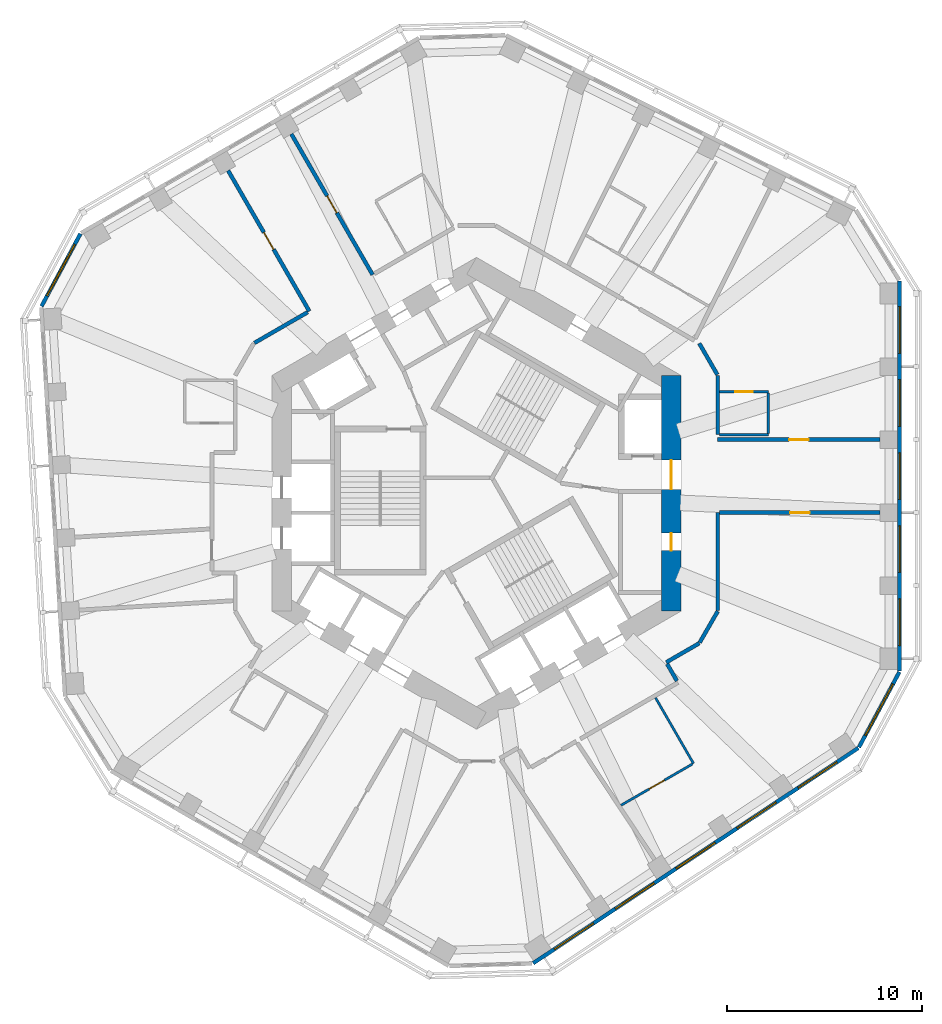
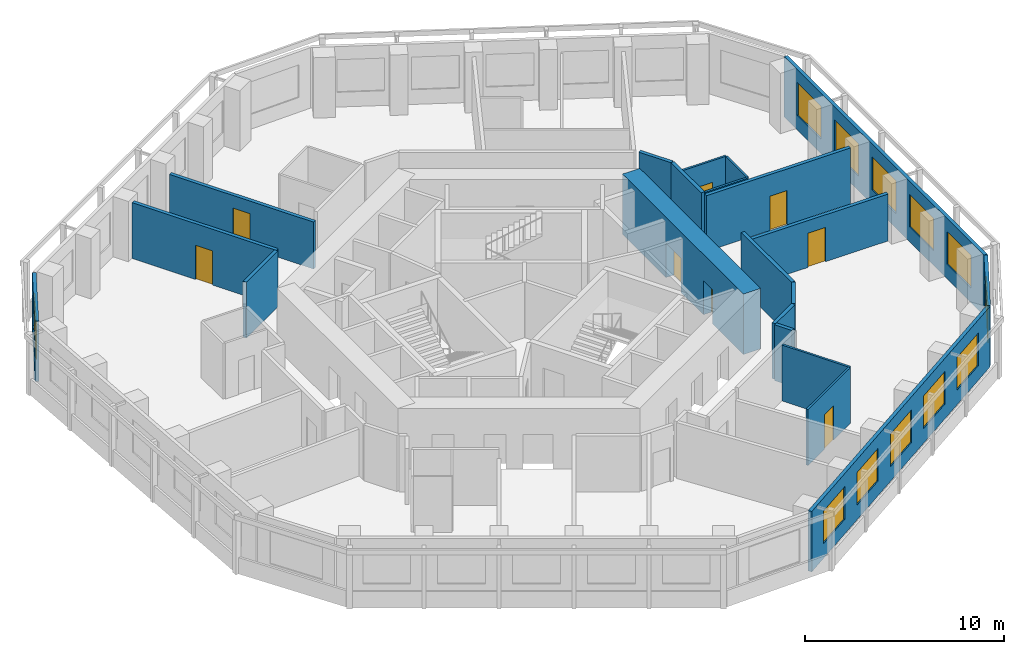
# One storey, part 6 of 11: 21 walls, 12 windows, 8 doors, 20 openings.
"""IFC4 building model written with IfcOpenShell, lengths in metres."""

from ifc_helpers import new_model, si_unit, direction, frame, frame_2d, origin, place, context, subcontext, project, spatial, rectangle, extrude, material, layer, layer_set, type_object, element, fill, save


model = new_model("IFC4")

# Units and contexts
model_context = context("Model", 3, precision=1e-05, world=origin(), true_north=direction((0.0, 1.0)))
body_context = subcontext(model_context, "Body", "Model", "MODEL_VIEW")
ifc_project = project(units=[si_unit("LENGTHUNIT", "METRE"), si_unit("AREAUNIT", "SQUARE_METRE"), si_unit("VOLUMEUNIT", "CUBIC_METRE"), si_unit("PLANEANGLEUNIT", "RADIAN"), si_unit("MASSUNIT", "GRAM", prefix="KILO")], contexts=[model_context])

# Site, building, storey
site_placement = place(None, origin())
site = spatial("IfcSite", under=ifc_project, at=site_placement, CompositionType="ELEMENT")
building_placement = place(site_placement, origin())
building = spatial("IfcBuilding", under=site, at=building_placement, Name="Vanh Sen Convention Tower", CompositionType="ELEMENT")
storey_placement = place(building_placement, frame((0.0, 0.0, 183.60009765625)))
storey = spatial("IfcBuildingStorey", under=building, at=storey_placement, Name="L45", CompositionType="ELEMENT", Elevation=183.60009765625)

# Wall
ifc_material_1 = material(Name="Moisture-resistant gypsum board on steel studs", Category="steel")
ifc_layer_1 = layer(ifc_material_1, 0.1201171875)
ifc_layer_set_1 = layer_set([ifc_layer_1], Name="Moisture-resistant gypsum board on steel studs")
wall_type_1 = type_object("IfcWallType", Name="Bathroom partition 120", PredefinedType="PARTITIONING", material=ifc_layer_set_1)
wall_1_placement = place(storey_placement, frame((9.201904296875, -10.5078125, 0.0), z_axis=(0.0, 0.0, 1.0), x_axis=(0.500043961785, -0.866000020948, 0.0)))
element("IfcWall", 1, at=wall_1_placement, inside=storey, type_object=wall_type_1, Name="Bathroom partition 120", PredefinedType="PARTITIONING", context=body_context, shape_type="SweptSolid", body=[
    extrude(rectangle(XDim=3.900146484375, YDim=0.1201171875, at=frame_2d((1.9501953125, 0.0))), origin(), (0.0, 0.0, 1.0), 3.419921875),
])

# Wall, opening, door
wall_2_placement = place(storey_placement, frame((11.10009765625, -13.915283203125, 0.0), z_axis=(0.0, 0.0, 1.0), x_axis=(-0.866048475386, -0.499960036685, 0.0)))
wall_2 = element("IfcWall", 2, at=wall_2_placement, inside=storey, type_object=wall_type_1, Name="Bathroom partition 120", PredefinedType="PARTITIONING", context=body_context, shape_type="SweptSolid", body=[
    extrude(rectangle(XDim=4.239990234375, YDim=0.1201171875, at=frame_2d((2.1201171875, 0.0))), origin(), (0.0, 0.0, 1.0), 3.419921875),
])
opening_1_placement = place(wall_2_placement, frame((1.669921875, 0.0, 0.0)))
opening_1 = element("IfcOpeningElement", 3, at=opening_1_placement, cuts=wall_2, Name="Opening D44118", PredefinedType="OPENING", context=body_context, shape_type="SweptSolid", body=[
    extrude(rectangle(XDim=0.89990234375, YDim=2.10009765625, at=frame_2d((0.449951171875, 1.050048828125))), frame((0.0, 0.070068359375, 0.0), z_axis=(0.0, -1.0, 0.0), x_axis=(1.0, 0.0, 0.0)), (0.0, 0.0, 1.0), 0.14013671875),
])
ifc_material_2 = material(Name="Laminate door in steel frame", Category="steel")
door_type_1 = type_object("IfcDoorType", Name="Room internal door 900", OperationType="SINGLE_SWING_LEFT", PredefinedType="DOOR", material=ifc_material_2)
door_1_placement = place(opening_1_placement, origin())
door_1 = element("IfcDoor", 4, at=door_1_placement, inside=storey, type_object=door_type_1, Name="Internal room door D44118", OperationType="SINGLE_SWING_LEFT", OverallHeight=2.10009765625, OverallWidth=0.89990234375, PredefinedType="DOOR", context=body_context, shape_type="SweptSolid", body=[
    extrude(rectangle(XDim=0.89990234375, YDim=2.10009765625, at=frame_2d((0.449951171875, 1.050048828125))), frame((0.0, 0.02490234375, 0.0), z_axis=(0.0, -1.0, 0.0), x_axis=(1.0, 0.0, 0.0)), (0.0, 0.0, 1.0), 0.050048828125),
])
fill(opening_1, door_1)

wall_3_placement = place(storey_placement, frame((12.5, 5.211181640625, 0.0), z_axis=(0.0, 0.0, 1.0), x_axis=(1.0, 0.0, 0.0)))
wall_3 = element("IfcWall", 5, at=wall_3_placement, inside=storey, type_object=wall_type_1, Name="Bathroom partition 120", PredefinedType="PARTITIONING", context=body_context, shape_type="SweptSolid", body=[
    extrude(rectangle(XDim=2.5, YDim=0.1201171875, at=frame_2d((1.25, 0.0))), origin(), (0.0, 0.0, 1.0), 3.419921875),
])
opening_2_placement = place(wall_3_placement, frame((0.800048828125, 0.0, 0.0)))
opening_2 = element("IfcOpeningElement", 6, at=opening_2_placement, cuts=wall_3, Name="Opening D44102", PredefinedType="OPENING", context=body_context, shape_type="SweptSolid", body=[
    extrude(rectangle(XDim=0.89990234375, YDim=2.10009765625, at=frame_2d((0.449951171875, 1.050048828125))), frame((0.0, 0.070068359375, 0.0), z_axis=(0.0, -1.0, 0.0), x_axis=(1.0, 0.0, 0.0)), (0.0, 0.0, 1.0), 0.14013671875),
])
door_2_placement = place(opening_2_placement, origin())
door_2 = element("IfcDoor", 7, at=door_2_placement, inside=storey, type_object=door_type_1, Name="Internal room door D44102", OperationType="SINGLE_SWING_LEFT", OverallHeight=2.10009765625, OverallWidth=0.89990234375, PredefinedType="DOOR", context=body_context, shape_type="SweptSolid", body=[
    extrude(rectangle(XDim=0.89990234375, YDim=2.10009765625, at=frame_2d((0.449951171875, 1.050048828125))), frame((0.0, 0.02490234375, 0.0), z_axis=(0.0, -1.0, 0.0), x_axis=(1.0, 0.0, 0.0)), (0.0, 0.0, 1.0), 0.050048828125),
])
fill(opening_2, door_2)

# Walls
wall_4_placement = place(storey_placement, frame((15.0, 3.01123046875, 0.0), z_axis=(0.0, 0.0, 1.0), x_axis=(-1.0, 0.0, 0.0)))
element("IfcWall", 8, at=wall_4_placement, inside=storey, type_object=wall_type_1, Name="Bathroom partition 120", PredefinedType="PARTITIONING", context=body_context, shape_type="SweptSolid", body=[
    extrude(rectangle(XDim=2.5, YDim=0.1201171875, at=frame_2d((1.25, 0.0))), origin(), (0.0, 0.0, 1.0), 3.419921875),
])
wall_5_placement = place(storey_placement, frame((15.0, 5.1513671875, 0.0), z_axis=(0.0, 0.0, 1.0), x_axis=(0.0, -1.0, 0.0)))
element("IfcWall", 9, at=wall_5_placement, inside=storey, type_object=wall_type_1, Name="Bathroom partition 120", PredefinedType="PARTITIONING", context=body_context, shape_type="SweptSolid", body=[
    extrude(rectangle(XDim=2.080078125, YDim=0.1201171875, at=frame_2d((1.0400390625, 0.0))), origin(), (0.0, 0.0, 1.0), 3.419921875),
])

# Wall, openings, doors
ifc_material_3 = material(Name="Concrete C80/95", Category="concrete")
ifc_layer_2 = layer(ifc_material_3, 1.0)
ifc_layer_set_2 = layer_set([ifc_layer_2], Name="Concrete C80/95")
wall_type_2 = type_object("IfcWallType", Name="Core outer wall 1000 C80/95", PredefinedType="SHEAR", material=ifc_layer_set_2)
wall_6_placement = place(storey_placement, frame((10.0, -6.062255859375, 0.0), z_axis=(0.0, 0.0, 1.0), x_axis=(0.0, 1.0, 0.0)))
wall_6 = element("IfcWall", 10, at=wall_6_placement, inside=storey, type_object=wall_type_2, Name="Core wall face E L45", PredefinedType="SHEAR", context=body_context, shape_type="SweptSolid", body=[
    extrude(rectangle(XDim=12.12451171875, YDim=1.0, at=frame_2d((6.062255859375, 0.0))), origin(), (0.0, 0.0, 1.0), 3.699951171875),
])
opening_3_placement = place(wall_6_placement, frame((6.26220703125, 0.0, 0.0)))
opening_3 = element("IfcOpeningElement", 11, at=opening_3_placement, cuts=wall_6, Name="Opening D44001", PredefinedType="OPENING", context=body_context, shape_type="SweptSolid", body=[
    extrude(rectangle(XDim=1.5, YDim=2.10009765625, at=frame_2d((0.75, 1.050048828125))), frame((0.0, 0.510009765625, 0.0), z_axis=(0.0, -1.0, 0.0), x_axis=(1.0, 0.0, 0.0)), (0.0, 0.0, 1.0), 1.02001953125),
])
opening_4_placement = place(wall_6_placement, frame((3.1123046875, 0.0, 0.0)))
opening_4 = element("IfcOpeningElement", 12, at=opening_4_placement, cuts=wall_6, Name="Opening D44010", PredefinedType="OPENING", context=body_context, shape_type="SweptSolid", body=[
    extrude(rectangle(XDim=0.89990234375, YDim=2.10009765625, at=frame_2d((0.449951171875, 1.050048828125))), frame((0.0, 0.510009765625, 0.0), z_axis=(0.0, -1.0, 0.0), x_axis=(1.0, 0.0, 0.0)), (0.0, 0.0, 1.0), 1.02001953125),
])
ifc_material_4 = material(Name="Steel S355", Category="steel")
door_type_2 = type_object("IfcDoorType", Name="Plant door 900", OperationType="SINGLE_SWING_LEFT", PredefinedType="DOOR", material=ifc_material_4)
door_3_placement = place(opening_4_placement, origin())
door_3 = element("IfcDoor", 13, at=door_3_placement, inside=storey, type_object=door_type_2, Name="Plant door D44010", OperationType="SINGLE_SWING_LEFT", OverallHeight=2.10009765625, OverallWidth=0.89990234375, PredefinedType="DOOR", context=body_context, shape_type="SweptSolid", body=[
    extrude(rectangle(XDim=0.89990234375, YDim=2.10009765625, at=frame_2d((0.449951171875, 1.050048828125))), frame((0.0, 0.02490234375, 0.0), z_axis=(0.0, -1.0, 0.0), x_axis=(1.0, 0.0, 0.0)), (0.0, 0.0, 1.0), 0.050048828125),
])
fill(opening_4, door_3)
door_type_3 = type_object("IfcDoorType", Name="Stair lobby door 1500", OperationType="DOUBLE_DOOR_SINGLE_SWING", PredefinedType="DOOR", material=ifc_material_4)
door_4_placement = place(opening_3_placement, origin())
door_4 = element("IfcDoor", 14, at=door_4_placement, inside=storey, type_object=door_type_3, Name="Stair lobby door D44001", OperationType="DOUBLE_DOOR_SINGLE_SWING", OverallHeight=2.10009765625, OverallWidth=1.5, PredefinedType="DOOR", context=body_context, shape_type="SweptSolid", body=[
    extrude(rectangle(XDim=1.5, YDim=2.10009765625, at=frame_2d((0.75, 1.050048828125))), frame((0.0, 0.02490234375, 0.0), z_axis=(0.0, -1.0, 0.0), x_axis=(1.0, 0.0, 0.0)), (0.0, 0.0, 1.0), 0.050048828125),
])
fill(opening_3, door_4)

# Wall, opening, door
ifc_material_5 = material(Name="Gypsum board on steel studs with mineral wool", Category="steel")
ifc_layer_3 = layer(ifc_material_5, 0.199951171875)
ifc_layer_set_3 = layer_set([ifc_layer_3], Name="Gypsum board on steel studs with mineral wool")
wall_type_3 = type_object("IfcWallType", Name="Corridor partition wall 200", PredefinedType="PARTITIONING", material=ifc_layer_set_3)
wall_7_placement = place(storey_placement, frame((-12.766357421875, 16.58935546875, 0.0), z_axis=(0.0, 0.0, 1.0), x_axis=(0.500010139422, -0.866019549707, 0.0)))
wall_7 = element("IfcWall", 15, at=wall_7_placement, inside=storey, type_object=wall_type_3, Name="Corridor partition wall 200", PredefinedType="PARTITIONING", context=body_context, shape_type="SweptSolid", body=[
    extrude(rectangle(XDim=8.349853515625, YDim=0.199951171875, at=frame_2d((4.1748046875, 0.0))), origin(), (0.0, 0.0, 1.0), 3.419921875),
])
opening_5_placement = place(wall_7_placement, frame((3.675048828125, 0.0, 0.0)))
opening_5 = element("IfcOpeningElement", 16, at=opening_5_placement, cuts=wall_7, Name="Opening D44109", PredefinedType="OPENING", context=body_context, shape_type="SweptSolid", body=[
    extrude(rectangle(XDim=1.0, YDim=2.10009765625, at=frame_2d((0.5, 1.050048828125))), frame((0.0, 0.10986328125, 0.0), z_axis=(0.0, -1.0, 0.0), x_axis=(1.0, 0.0, 0.0)), (0.0, 0.0, 1.0), 0.219970703125),
])
ifc_material_6 = material(Name="Glazed fire door in steel frame", Category="steel")
door_type_4 = type_object("IfcDoorType", Name="Tenant entrance door 1000", OperationType="SINGLE_SWING_LEFT", PredefinedType="DOOR", material=ifc_material_6)
door_5_placement = place(opening_5_placement, origin())
door_5 = element("IfcDoor", 17, at=door_5_placement, inside=storey, type_object=door_type_4, Name="Tenant suite entrance door D44109", OperationType="SINGLE_SWING_LEFT", OverallHeight=2.10009765625, OverallWidth=1.0, PredefinedType="DOOR", context=body_context, shape_type="SweptSolid", body=[
    extrude(rectangle(XDim=1.0, YDim=2.10009765625, at=frame_2d((0.5, 1.050048828125))), frame((0.0, 0.02490234375, 0.0), z_axis=(0.0, -1.0, 0.0), x_axis=(1.0, 0.0, 0.0)), (0.0, 0.0, 1.0), 0.050048828125),
])
fill(opening_5, door_5)

wall_8_placement = place(storey_placement, frame((-9.51513671875, 18.46630859375, 0.0), z_axis=(0.0, 0.0, 1.0), x_axis=(0.500010139422, -0.866019549707, 0.0)))
wall_8 = element("IfcWall", 18, at=wall_8_placement, inside=storey, type_object=wall_type_3, Name="Corridor partition wall 200", PredefinedType="PARTITIONING", context=body_context, shape_type="SweptSolid", body=[
    extrude(rectangle(XDim=8.349853515625, YDim=0.199951171875, at=frame_2d((4.1748046875, 0.0))), origin(), (0.0, 0.0, 1.0), 2.869873046875),
])
opening_6_placement = place(wall_8_placement, frame((3.675048828125, 0.0, 0.0)))
opening_6 = element("IfcOpeningElement", 19, at=opening_6_placement, cuts=wall_8, Name="Opening D44107", PredefinedType="OPENING", context=body_context, shape_type="SweptSolid", body=[
    extrude(rectangle(XDim=1.0, YDim=2.10009765625, at=frame_2d((0.5, 1.050048828125))), frame((0.0, 0.10986328125, 0.0), z_axis=(0.0, -1.0, 0.0), x_axis=(1.0, 0.0, 0.0)), (0.0, 0.0, 1.0), 0.219970703125),
])
door_6_placement = place(opening_6_placement, origin())
door_6 = element("IfcDoor", 20, at=door_6_placement, inside=storey, type_object=door_type_4, Name="Tenant suite entrance door D44107", OperationType="SINGLE_SWING_LEFT", OverallHeight=2.10009765625, OverallWidth=1.0, PredefinedType="DOOR", context=body_context, shape_type="SweptSolid", body=[
    extrude(rectangle(XDim=1.0, YDim=2.10009765625, at=frame_2d((0.5, 1.050048828125))), frame((0.0, 0.02490234375, 0.0), z_axis=(0.0, -1.0, 0.0), x_axis=(1.0, 0.0, 0.0)), (0.0, 0.0, 1.0), 0.050048828125),
])
fill(opening_6, door_6)

# Walls
wall_9_placement = place(storey_placement, frame((-8.677978515625, 9.30810546875, 0.0), z_axis=(0.0, 0.0, 1.0), x_axis=(-0.866000359435, -0.500043375578, 0.0)))
element("IfcWall", 21, at=wall_9_placement, inside=storey, type_object=wall_type_3, Name="Corridor partition wall 200", PredefinedType="PARTITIONING", context=body_context, shape_type="SweptSolid", body=[
    extrude(rectangle(XDim=3.160888671875, YDim=0.199951171875, at=frame_2d((1.58056640625, 0.0))), origin(), (0.0, 0.0, 1.0), 3.419921875),
])
wall_10_placement = place(storey_placement, frame((9.751708984375, -8.688232421875, 0.0), z_axis=(0.0, 0.0, 1.0), x_axis=(0.865974105138, 0.500088841337, 0.0)))
element("IfcWall", 22, at=wall_10_placement, inside=storey, type_object=wall_type_3, Name="Corridor partition wall 200", PredefinedType="PARTITIONING", context=body_context, shape_type="SweptSolid", body=[
    extrude(rectangle(XDim=1.961181640625, YDim=0.199951171875, at=frame_2d((0.98046875, 0.0))), origin(), (0.0, 0.0, 1.0), 3.419921875),
])
wall_11_placement = place(storey_placement, frame((10.302001953125, -9.6416015625, 0.0), z_axis=(0.0, 0.0, 1.0), x_axis=(-0.500074377092, 0.865982457891, 0.0)))
element("IfcWall", 23, at=wall_11_placement, inside=storey, type_object=wall_type_3, Name="Corridor partition wall 200", PredefinedType="PARTITIONING", context=body_context, shape_type="SweptSolid", body=[
    extrude(rectangle(XDim=1.000732421875, YDim=0.199951171875, at=frame_2d((0.50048828125, 0.0))), origin(), (0.0, 0.0, 1.0), 3.419921875),
])
for number, where, z_axis, x_axis, name in (
    (24, (11.469970703125, -7.673095703125, 0.0), (0.0, 0.0, 1.0), (0.499964847546, 0.866045698112, 0.0), "Corridor partition wall 200"),
    (25, (12.3798828125, 6.0966796875, 0.0), (0.0, 0.0, 1.0), (-0.499964847546, 0.866045698112, 0.0), "Corridor partition wall 200"),
):
    element("IfcWall", number, at=place(storey_placement, frame(where, z_axis=z_axis, x_axis=x_axis)), inside=storey, type_object=wall_type_3, Name=name, PredefinedType="PARTITIONING", context=body_context, shape_type="SweptSolid", body=[
        extrude(rectangle(XDim=1.860107421875, YDim=0.199951171875, at=frame_2d((0.93017578125, 0.0))), origin(), (0.0, 0.0, 1.0), 3.419921875),
    ])
wall_12_placement = place(storey_placement, frame((12.39990234375, -6.022216796875, 0.0), z_axis=(0.0, 0.0, 1.0), x_axis=(0.0, 1.0, 0.0)))
element("IfcWall", 26, at=wall_12_placement, inside=storey, type_object=wall_type_3, Name="Corridor partition wall 200", PredefinedType="PARTITIONING", context=body_context, shape_type="SweptSolid", body=[
    extrude(rectangle(XDim=5.029296875, YDim=0.199951171875, at=frame_2d((2.5146484375, 0.0))), origin(), (0.0, 0.0, 1.0), 3.419921875),
])
wall_13_placement = place(storey_placement, frame((12.39990234375, 3.01123046875, 0.0), z_axis=(0.0, 0.0, 1.0), x_axis=(0.0, 1.0, 0.0)))
element("IfcWall", 27, at=wall_13_placement, inside=storey, type_object=wall_type_3, Name="Corridor partition wall 200", PredefinedType="PARTITIONING", context=body_context, shape_type="SweptSolid", body=[
    extrude(rectangle(XDim=3.051025390625, YDim=0.199951171875, at=frame_2d((1.525390625, 0.0))), origin(), (0.0, 0.0, 1.0), 3.419921875),
])

# Wall, opening, door
wall_14_placement = place(storey_placement, frame((12.5, -0.992919921875, 0.0), z_axis=(0.0, 0.0, 1.0), x_axis=(1.0, 0.0, 0.0)))
wall_14 = element("IfcWall", 28, at=wall_14_placement, inside=storey, type_object=wall_type_3, Name="Corridor partition wall 200", PredefinedType="PARTITIONING", context=body_context, shape_type="SweptSolid", body=[
    extrude(rectangle(XDim=8.25, YDim=0.199951171875, at=frame_2d((4.125, 0.0))), origin(), (0.0, 0.0, 1.0), 2.869873046875),
])
opening_7_placement = place(wall_14_placement, frame((3.625, 0.0, 0.0)))
opening_7 = element("IfcOpeningElement", 29, at=opening_7_placement, cuts=wall_14, Name="Opening D44117", PredefinedType="OPENING", context=body_context, shape_type="SweptSolid", body=[
    extrude(rectangle(XDim=1.0, YDim=2.10009765625, at=frame_2d((0.5, 1.050048828125))), frame((0.0, 0.10986328125, 0.0), z_axis=(0.0, -1.0, 0.0), x_axis=(1.0, 0.0, 0.0)), (0.0, 0.0, 1.0), 0.219970703125),
])
door_7_placement = place(opening_7_placement, origin())
door_7 = element("IfcDoor", 30, at=door_7_placement, inside=storey, type_object=door_type_4, Name="Tenant suite entrance door D44117", OperationType="SINGLE_SWING_LEFT", OverallHeight=2.10009765625, OverallWidth=1.0, PredefinedType="DOOR", context=body_context, shape_type="SweptSolid", body=[
    extrude(rectangle(XDim=1.0, YDim=2.10009765625, at=frame_2d((0.5, 1.050048828125))), frame((0.0, 0.02490234375, 0.0), z_axis=(0.0, -1.0, 0.0), x_axis=(1.0, 0.0, 0.0)), (0.0, 0.0, 1.0), 0.050048828125),
])
fill(opening_7, door_7)

wall_15_placement = place(storey_placement, frame((20.75, 2.76123046875, 0.0), z_axis=(0.0, 0.0, 1.0), x_axis=(-1.0, 0.0, 0.0)))
wall_15 = element("IfcWall", 31, at=wall_15_placement, inside=storey, type_object=wall_type_3, Name="Corridor partition wall 200", PredefinedType="PARTITIONING", context=body_context, shape_type="SweptSolid", body=[
    extrude(rectangle(XDim=8.35009765625, YDim=0.199951171875, at=frame_2d((4.175048828125, 0.0))), origin(), (0.0, 0.0, 1.0), 3.419921875),
])
opening_8_placement = place(wall_15_placement, frame((3.675048828125, 0.0, 0.0)))
opening_8 = element("IfcOpeningElement", 32, at=opening_8_placement, cuts=wall_15, Name="Opening D44101", PredefinedType="OPENING", context=body_context, shape_type="SweptSolid", body=[
    extrude(rectangle(XDim=1.0, YDim=2.10009765625, at=frame_2d((0.5, 1.050048828125))), frame((0.0, 0.10986328125, 0.0), z_axis=(0.0, -1.0, 0.0), x_axis=(1.0, 0.0, 0.0)), (0.0, 0.0, 1.0), 0.219970703125),
])
door_8_placement = place(opening_8_placement, origin())
door_8 = element("IfcDoor", 33, at=door_8_placement, inside=storey, type_object=door_type_4, Name="Tenant suite entrance door D44101", OperationType="SINGLE_SWING_LEFT", OverallHeight=2.10009765625, OverallWidth=1.0, PredefinedType="DOOR", context=body_context, shape_type="SweptSolid", body=[
    extrude(rectangle(XDim=1.0, YDim=2.10009765625, at=frame_2d((0.5, 1.050048828125))), frame((0.0, 0.02490234375, 0.0), z_axis=(0.0, -1.0, 0.0), x_axis=(1.0, 0.0, 0.0)), (0.0, 0.0, 1.0), 0.050048828125),
])
fill(opening_8, door_8)

# Wall, openings, windows
ifc_material_7 = material(Name="Insulated lightweight infill wall")
ifc_layer_4 = layer(ifc_material_7, 0.199951171875)
ifc_layer_set_4 = layer_set([ifc_layer_4], Name="Insulated lightweight infill wall")
wall_type_4 = type_object("IfcWallType", Name="External wall 200", PredefinedType="STANDARD", material=ifc_layer_set_4)
wall_16_placement = place(storey_placement, frame((21.75, -9.138427734375, 0.0), z_axis=(0.0, 0.0, 1.0), x_axis=(0.0, 1.0, 0.0)))
wall_16 = element("IfcWall", 34, at=wall_16_placement, inside=storey, type_object=wall_type_4, Name="External wall E L45", PredefinedType="STANDARD", context=body_context, shape_type="SweptSolid", body=[
    extrude(rectangle(XDim=20.043701171875, YDim=0.199951171875, at=frame_2d((10.02197265625, 0.0))), origin(), (0.0, 0.0, 1.0), 3.699951171875),
])
opening_9_placement = place(wall_16_placement, frame((1.314453125, 0.0, 0.89990234375)))
opening_9 = element("IfcOpeningElement", 35, at=opening_9_placement, cuts=wall_16, Name="Opening WO1-E1", PredefinedType="OPENING", context=body_context, shape_type="SweptSolid", body=[
    extrude(rectangle(XDim=2.39990234375, YDim=2.0, at=frame_2d((1.199951171875, 1.0))), frame((0.0, 0.10986328125, 0.0), z_axis=(0.0, -1.0, 0.0), x_axis=(1.0, 0.0, 0.0)), (0.0, 0.0, 1.0), 0.219970703125),
])
opening_10_placement = place(wall_16_placement, frame((5.068603515625, 0.0, 0.89990234375)))
opening_10 = element("IfcOpeningElement", 36, at=opening_10_placement, cuts=wall_16, Name="Opening WO1-E2", PredefinedType="OPENING", context=body_context, shape_type="SweptSolid", body=[
    extrude(rectangle(XDim=2.39990234375, YDim=2.0, at=frame_2d((1.199951171875, 1.0))), frame((0.0, 0.10986328125, 0.0), z_axis=(0.0, -1.0, 0.0), x_axis=(1.0, 0.0, 0.0)), (0.0, 0.0, 1.0), 0.219970703125),
])
opening_11_placement = place(wall_16_placement, frame((8.82275390625, 0.0, 0.89990234375)))
opening_11 = element("IfcOpeningElement", 37, at=opening_11_placement, cuts=wall_16, Name="Opening WO1-E3", PredefinedType="OPENING", context=body_context, shape_type="SweptSolid", body=[
    extrude(rectangle(XDim=2.39990234375, YDim=2.0, at=frame_2d((1.199951171875, 1.0))), frame((0.0, 0.10986328125, 0.0), z_axis=(0.0, -1.0, 0.0), x_axis=(1.0, 0.0, 0.0)), (0.0, 0.0, 1.0), 0.219970703125),
])
opening_12_placement = place(wall_16_placement, frame((12.576904296875, 0.0, 0.89990234375)))
opening_12 = element("IfcOpeningElement", 38, at=opening_12_placement, cuts=wall_16, Name="Opening WO1-E4", PredefinedType="OPENING", context=body_context, shape_type="SweptSolid", body=[
    extrude(rectangle(XDim=2.39990234375, YDim=2.0, at=frame_2d((1.199951171875, 1.0))), frame((0.0, 0.10986328125, 0.0), z_axis=(0.0, -1.0, 0.0), x_axis=(1.0, 0.0, 0.0)), (0.0, 0.0, 1.0), 0.219970703125),
])
opening_13_placement = place(wall_16_placement, frame((16.330810546875, 0.0, 0.89990234375)))
opening_13 = element("IfcOpeningElement", 39, at=opening_13_placement, cuts=wall_16, Name="Opening WO1-E5", PredefinedType="OPENING", context=body_context, shape_type="SweptSolid", body=[
    extrude(rectangle(XDim=2.39990234375, YDim=2.0, at=frame_2d((1.199951171875, 1.0))), frame((0.0, 0.10986328125, 0.0), z_axis=(0.0, -1.0, 0.0), x_axis=(1.0, 0.0, 0.0)), (0.0, 0.0, 1.0), 0.219970703125),
])
ifc_material_8 = material(Name="Aluminium frame with clear low-emissivity glass", Category="aluminium")
window_type_1 = type_object("IfcWindowType", Name="Office window 2400 x 2000", PartitioningType="SINGLE_PANEL", PredefinedType="WINDOW", material=ifc_material_8)
window_1_placement = place(opening_9_placement, origin())
window_1 = element("IfcWindow", 40, at=window_1_placement, inside=storey, type_object=window_type_1, Name="Window WO1-E1", OverallHeight=2.0, OverallWidth=2.39990234375, PartitioningType="SINGLE_PANEL", PredefinedType="WINDOW", context=body_context, shape_type="SweptSolid", body=[
    extrude(rectangle(XDim=2.39990234375, YDim=2.0, at=frame_2d((1.199951171875, 1.0))), frame((0.0, 0.030029296875, 0.0), z_axis=(0.0, -1.0, 0.0), x_axis=(1.0, 0.0, 0.0)), (0.0, 0.0, 1.0), 0.06005859375),
])
fill(opening_9, window_1)
window_2_placement = place(opening_10_placement, origin())
window_2 = element("IfcWindow", 41, at=window_2_placement, inside=storey, type_object=window_type_1, Name="Window WO1-E2", OverallHeight=2.0, OverallWidth=2.39990234375, PartitioningType="SINGLE_PANEL", PredefinedType="WINDOW", context=body_context, shape_type="SweptSolid", body=[
    extrude(rectangle(XDim=2.39990234375, YDim=2.0, at=frame_2d((1.199951171875, 1.0))), frame((0.0, 0.030029296875, 0.0), z_axis=(0.0, -1.0, 0.0), x_axis=(1.0, 0.0, 0.0)), (0.0, 0.0, 1.0), 0.06005859375),
])
fill(opening_10, window_2)
window_3_placement = place(opening_11_placement, origin())
window_3 = element("IfcWindow", 42, at=window_3_placement, inside=storey, type_object=window_type_1, Name="Window WO1-E3", OverallHeight=2.0, OverallWidth=2.39990234375, PartitioningType="SINGLE_PANEL", PredefinedType="WINDOW", context=body_context, shape_type="SweptSolid", body=[
    extrude(rectangle(XDim=2.39990234375, YDim=2.0, at=frame_2d((1.199951171875, 1.0))), frame((0.0, 0.030029296875, 0.0), z_axis=(0.0, -1.0, 0.0), x_axis=(1.0, 0.0, 0.0)), (0.0, 0.0, 1.0), 0.06005859375),
])
fill(opening_11, window_3)
window_4_placement = place(opening_12_placement, origin())
window_4 = element("IfcWindow", 43, at=window_4_placement, inside=storey, type_object=window_type_1, Name="Window WO1-E4", OverallHeight=2.0, OverallWidth=2.39990234375, PartitioningType="SINGLE_PANEL", PredefinedType="WINDOW", context=body_context, shape_type="SweptSolid", body=[
    extrude(rectangle(XDim=2.39990234375, YDim=2.0, at=frame_2d((1.199951171875, 1.0))), frame((0.0, 0.030029296875, 0.0), z_axis=(0.0, -1.0, 0.0), x_axis=(1.0, 0.0, 0.0)), (0.0, 0.0, 1.0), 0.06005859375),
])
fill(opening_12, window_4)
window_5_placement = place(opening_13_placement, origin())
window_5 = element("IfcWindow", 44, at=window_5_placement, inside=storey, type_object=window_type_1, Name="Window WO1-E5", OverallHeight=2.0, OverallWidth=2.39990234375, PartitioningType="SINGLE_PANEL", PredefinedType="WINDOW", context=body_context, shape_type="SweptSolid", body=[
    extrude(rectangle(XDim=2.39990234375, YDim=2.0, at=frame_2d((1.199951171875, 1.0))), frame((0.0, 0.030029296875, 0.0), z_axis=(0.0, -1.0, 0.0), x_axis=(1.0, 0.0, 0.0)), (0.0, 0.0, 1.0), 0.06005859375),
])
fill(opening_13, window_5)

# Wall, opening, window
wall_17_placement = place(storey_placement, frame((-20.357421875, 13.343994140625, 0.0), z_axis=(0.0, 0.0, 1.0), x_axis=(-0.473288913494, -0.880907262068, 0.0)))
wall_17 = element("IfcWall", 45, at=wall_17_placement, inside=storey, type_object=wall_type_4, Name="External wall CH3 L45", PredefinedType="STANDARD", context=body_context, shape_type="SweptSolid", body=[
    extrude(rectangle(XDim=4.238037109375, YDim=0.199951171875, at=frame_2d((2.119140625, 0.0))), origin(), (0.0, 0.0, 1.0), 3.699951171875),
])
opening_14_placement = place(wall_17_placement, frame((0.619140625, 0.0, 0.89990234375)))
opening_14 = element("IfcOpeningElement", 46, at=opening_14_placement, cuts=wall_17, Name="Opening WO2-CH31", PredefinedType="OPENING", context=body_context, shape_type="SweptSolid", body=[
    extrude(rectangle(XDim=3.0, YDim=2.0, at=frame_2d((1.5, 1.0))), frame((0.0, 0.10986328125, 0.0), z_axis=(0.0, -1.0, 0.0), x_axis=(1.0, 0.0, 0.0)), (0.0, 0.0, 1.0), 0.219970703125),
])
window_type_2 = type_object("IfcWindowType", Name="Office window 3000 x 2000", PartitioningType="SINGLE_PANEL", PredefinedType="WINDOW", material=ifc_material_8)
window_6_placement = place(opening_14_placement, origin())
window_6 = element("IfcWindow", 47, at=window_6_placement, inside=storey, type_object=window_type_2, Name="Window WO2-CH31", OverallHeight=2.0, OverallWidth=3.0, PartitioningType="SINGLE_PANEL", PredefinedType="WINDOW", context=body_context, shape_type="SweptSolid", body=[
    extrude(rectangle(XDim=3.0, YDim=2.0, at=frame_2d((1.5, 1.0))), frame((0.0, 0.030029296875, 0.0), z_axis=(0.0, -1.0, 0.0), x_axis=(1.0, 0.0, 0.0)), (0.0, 0.0, 1.0), 0.06005859375),
])
fill(opening_14, window_6)

# Wall, openings, windows
wall_18_placement = place(storey_placement, frame((2.910888671875, -24.156005859375, 0.0), z_axis=(0.0, 0.0, 1.0), x_axis=(0.833882163564, 0.551942512668, 0.0)))
wall_18 = element("IfcWall", 48, at=wall_18_placement, inside=storey, type_object=wall_type_4, Name="External wall SE L45", PredefinedType="STANDARD", context=body_context, shape_type="SweptSolid", body=[
    extrude(rectangle(XDim=20.043701171875, YDim=0.199951171875, at=frame_2d((10.02197265625, 0.0))), origin(), (0.0, 0.0, 1.0), 3.699951171875),
])
opening_15_placement = place(wall_18_placement, frame((1.312744140625, 0.0, 0.89990234375)))
opening_15 = element("IfcOpeningElement", 49, at=opening_15_placement, cuts=wall_18, Name="Opening WO1-SE1", PredefinedType="OPENING", context=body_context, shape_type="SweptSolid", body=[
    extrude(rectangle(XDim=2.39990234375, YDim=2.0, at=frame_2d((1.199951171875, 1.0))), frame((0.0, 0.10986328125, 0.0), z_axis=(0.0, -1.0, 0.0), x_axis=(1.0, 0.0, 0.0)), (0.0, 0.0, 1.0), 0.219970703125),
])
opening_16_placement = place(wall_18_placement, frame((5.06689453125, 0.0, 0.89990234375)))
opening_16 = element("IfcOpeningElement", 50, at=opening_16_placement, cuts=wall_18, Name="Opening WO1-SE2", PredefinedType="OPENING", context=body_context, shape_type="SweptSolid", body=[
    extrude(rectangle(XDim=2.39990234375, YDim=2.0, at=frame_2d((1.199951171875, 1.0))), frame((0.0, 0.10986328125, 0.0), z_axis=(0.0, -1.0, 0.0), x_axis=(1.0, 0.0, 0.0)), (0.0, 0.0, 1.0), 0.219970703125),
])
opening_17_placement = place(wall_18_placement, frame((8.82080078125, 0.0, 0.89990234375)))
opening_17 = element("IfcOpeningElement", 51, at=opening_17_placement, cuts=wall_18, Name="Opening WO1-SE3", PredefinedType="OPENING", context=body_context, shape_type="SweptSolid", body=[
    extrude(rectangle(XDim=2.39990234375, YDim=2.0, at=frame_2d((1.199951171875, 1.0))), frame((0.0, 0.10986328125, 0.0), z_axis=(0.0, -1.0, 0.0), x_axis=(1.0, 0.0, 0.0)), (0.0, 0.0, 1.0), 0.219970703125),
])
opening_18_placement = place(wall_18_placement, frame((12.5751953125, 0.0, 0.89990234375)))
opening_18 = element("IfcOpeningElement", 52, at=opening_18_placement, cuts=wall_18, Name="Opening WO1-SE4", PredefinedType="OPENING", context=body_context, shape_type="SweptSolid", body=[
    extrude(rectangle(XDim=2.39990234375, YDim=2.0, at=frame_2d((1.199951171875, 1.0))), frame((0.0, 0.10986328125, 0.0), z_axis=(0.0, -1.0, 0.0), x_axis=(1.0, 0.0, 0.0)), (0.0, 0.0, 1.0), 0.219970703125),
])
opening_19_placement = place(wall_18_placement, frame((16.3291015625, 0.0, 0.89990234375)))
opening_19 = element("IfcOpeningElement", 53, at=opening_19_placement, cuts=wall_18, Name="Opening WO1-SE5", PredefinedType="OPENING", context=body_context, shape_type="SweptSolid", body=[
    extrude(rectangle(XDim=2.39990234375, YDim=2.0, at=frame_2d((1.199951171875, 1.0))), frame((0.0, 0.10986328125, 0.0), z_axis=(0.0, -1.0, 0.0), x_axis=(1.0, 0.0, 0.0)), (0.0, 0.0, 1.0), 0.219970703125),
])
window_7_placement = place(opening_15_placement, origin())
window_7 = element("IfcWindow", 54, at=window_7_placement, inside=storey, type_object=window_type_1, Name="Window WO1-SE1", OverallHeight=2.0, OverallWidth=2.39990234375, PartitioningType="SINGLE_PANEL", PredefinedType="WINDOW", context=body_context, shape_type="SweptSolid", body=[
    extrude(rectangle(XDim=2.39990234375, YDim=2.0, at=frame_2d((1.199951171875, 1.0))), frame((0.0, 0.030029296875, 0.0), z_axis=(0.0, -1.0, 0.0), x_axis=(1.0, 0.0, 0.0)), (0.0, 0.0, 1.0), 0.06005859375),
])
fill(opening_15, window_7)
window_8_placement = place(opening_16_placement, origin())
window_8 = element("IfcWindow", 55, at=window_8_placement, inside=storey, type_object=window_type_1, Name="Window WO1-SE2", OverallHeight=2.0, OverallWidth=2.39990234375, PartitioningType="SINGLE_PANEL", PredefinedType="WINDOW", context=body_context, shape_type="SweptSolid", body=[
    extrude(rectangle(XDim=2.39990234375, YDim=2.0, at=frame_2d((1.199951171875, 1.0))), frame((0.0, 0.030029296875, 0.0), z_axis=(0.0, -1.0, 0.0), x_axis=(1.0, 0.0, 0.0)), (0.0, 0.0, 1.0), 0.06005859375),
])
fill(opening_16, window_8)
window_9_placement = place(opening_17_placement, origin())
window_9 = element("IfcWindow", 56, at=window_9_placement, inside=storey, type_object=window_type_1, Name="Window WO1-SE3", OverallHeight=2.0, OverallWidth=2.39990234375, PartitioningType="SINGLE_PANEL", PredefinedType="WINDOW", context=body_context, shape_type="SweptSolid", body=[
    extrude(rectangle(XDim=2.39990234375, YDim=2.0, at=frame_2d((1.199951171875, 1.0))), frame((0.0, 0.030029296875, 0.0), z_axis=(0.0, -1.0, 0.0), x_axis=(1.0, 0.0, 0.0)), (0.0, 0.0, 1.0), 0.06005859375),
])
fill(opening_17, window_9)
window_10_placement = place(opening_18_placement, origin())
window_10 = element("IfcWindow", 57, at=window_10_placement, inside=storey, type_object=window_type_1, Name="Window WO1-SE4", OverallHeight=2.0, OverallWidth=2.39990234375, PartitioningType="SINGLE_PANEL", PredefinedType="WINDOW", context=body_context, shape_type="SweptSolid", body=[
    extrude(rectangle(XDim=2.39990234375, YDim=2.0, at=frame_2d((1.199951171875, 1.0))), frame((0.0, 0.030029296875, 0.0), z_axis=(0.0, -1.0, 0.0), x_axis=(1.0, 0.0, 0.0)), (0.0, 0.0, 1.0), 0.06005859375),
])
fill(opening_18, window_10)
window_11_placement = place(opening_19_placement, origin())
window_11 = element("IfcWindow", 58, at=window_11_placement, inside=storey, type_object=window_type_1, Name="Window WO1-SE5", OverallHeight=2.0, OverallWidth=2.39990234375, PartitioningType="SINGLE_PANEL", PredefinedType="WINDOW", context=body_context, shape_type="SweptSolid", body=[
    extrude(rectangle(XDim=2.39990234375, YDim=2.0, at=frame_2d((1.199951171875, 1.0))), frame((0.0, 0.030029296875, 0.0), z_axis=(0.0, -1.0, 0.0), x_axis=(1.0, 0.0, 0.0)), (0.0, 0.0, 1.0), 0.06005859375),
])
fill(opening_19, window_11)

# Wall, opening, window
wall_19_placement = place(storey_placement, frame((19.657958984375, -13.05712890625, 0.0), z_axis=(0.0, 0.0, 1.0), x_axis=(0.473307879841, 0.880897071672, 0.0)))
wall_19 = element("IfcWall", 59, at=wall_19_placement, inside=storey, type_object=wall_type_4, Name="External wall CH6 L45", PredefinedType="STANDARD", context=body_context, shape_type="SweptSolid", body=[
    extrude(rectangle(XDim=4.394775390625, YDim=0.199951171875, at=frame_2d((2.197265625, 0.0))), origin(), (0.0, 0.0, 1.0), 3.699951171875),
])
opening_20_placement = place(wall_19_placement, frame((0.697509765625, 0.0, 0.89990234375)))
opening_20 = element("IfcOpeningElement", 60, at=opening_20_placement, cuts=wall_19, Name="Opening WO2-CH61", PredefinedType="OPENING", context=body_context, shape_type="SweptSolid", body=[
    extrude(rectangle(XDim=3.0, YDim=2.0, at=frame_2d((1.5, 1.0))), frame((0.0, 0.10986328125, 0.0), z_axis=(0.0, -1.0, 0.0), x_axis=(1.0, 0.0, 0.0)), (0.0, 0.0, 1.0), 0.219970703125),
])
window_12_placement = place(opening_20_placement, origin())
window_12 = element("IfcWindow", 61, at=window_12_placement, inside=storey, type_object=window_type_2, Name="Window WO2-CH61", OverallHeight=2.0, OverallWidth=3.0, PartitioningType="SINGLE_PANEL", PredefinedType="WINDOW", context=body_context, shape_type="SweptSolid", body=[
    extrude(rectangle(XDim=3.0, YDim=2.0, at=frame_2d((1.5, 1.0))), frame((0.0, 0.030029296875, 0.0), z_axis=(0.0, -1.0, 0.0), x_axis=(1.0, 0.0, 0.0)), (0.0, 0.0, 1.0), 0.06005859375),
])
fill(opening_20, window_12)

save(model, "model.ifc")
